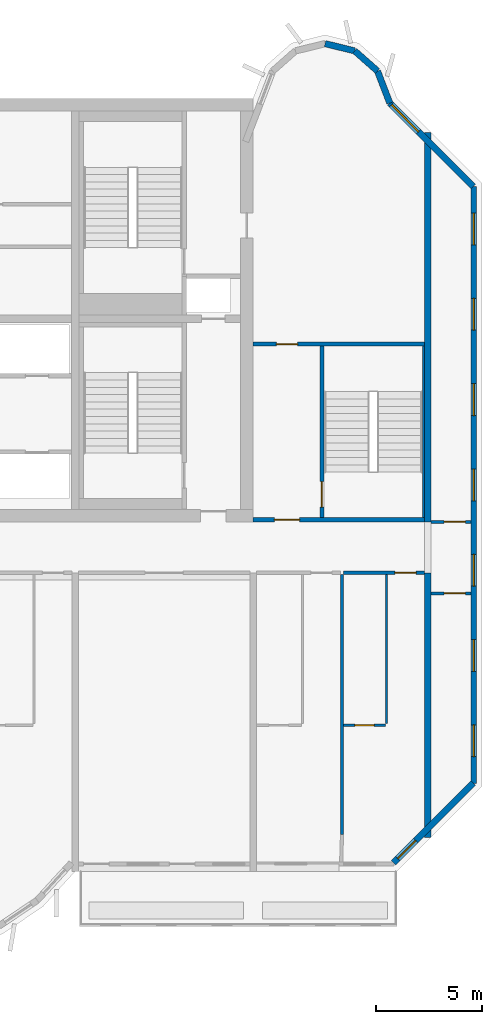
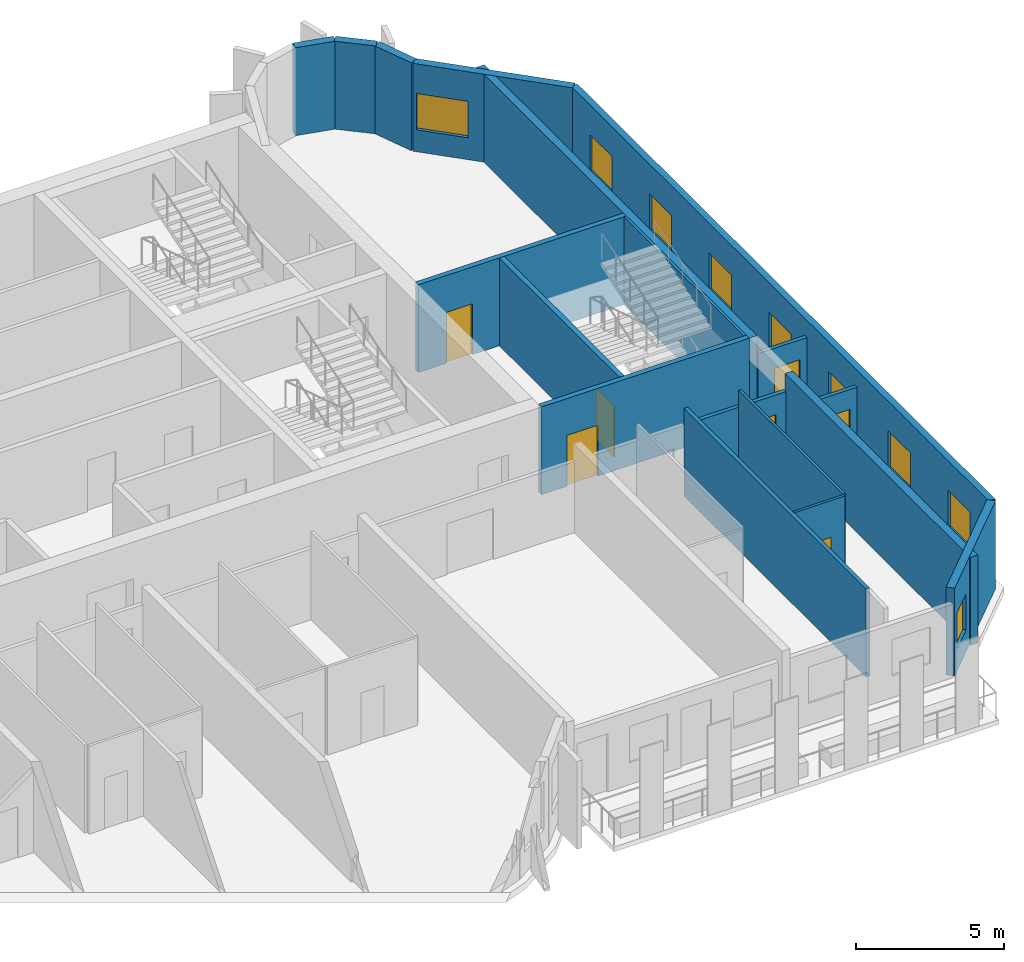
# One storey, part 8 of 11: 18 walls, 9 windows, 7 doors, 16 openings.
"""IFC4 building model written with IfcOpenShell, lengths in metres."""

from ifc_helpers import new_model, si_unit, direction, frame, frame_2d, origin, place, context, subcontext, project, spatial, rectangle, extrude, source, transform, mapped, material, layer, layer_set, type_object, element, fill, save


model = new_model("IFC4")

# Units and contexts
model_context = context("Model", 3, precision=1e-05, world=origin(), true_north=direction((0.0, 1.0)))
body_context = subcontext(model_context, "Body", "Model", "MODEL_VIEW")
ifc_project = project(units=[si_unit("LENGTHUNIT", "METRE"), si_unit("AREAUNIT", "SQUARE_METRE"), si_unit("VOLUMEUNIT", "CUBIC_METRE"), si_unit("PLANEANGLEUNIT", "RADIAN"), si_unit("MASSUNIT", "GRAM", prefix="KILO")], contexts=[model_context])

# Site, building, storey
site_placement = place(None, origin())
site = spatial("IfcSite", under=ifc_project, at=site_placement, CompositionType="ELEMENT")
building_placement = place(site_placement, origin())
building = spatial("IfcBuilding", under=site, at=building_placement, Name="Vanashikhar Sky Hotel", CompositionType="ELEMENT")
storey_placement = place(building_placement, frame((0.0, 0.0, 229.60009765625)))
storey = spatial("IfcBuildingStorey", under=building, at=storey_placement, Name="L55", CompositionType="ELEMENT", Elevation=229.60009765625)

# Walls
ifc_material_1 = material(Name="Concrete M60", Category="concrete")
ifc_layer_1 = layer(ifc_material_1, 0.300048828125)
ifc_layer_set_1 = layer_set([ifc_layer_1], Name="RC shear wall 300 Concrete M60")
wall_type_1 = type_object("IfcWallType", Name="RC shear wall 300 Concrete M60", PredefinedType="SHEAR", material=ifc_layer_set_1)
shared_shape_1 = source(origin(), body_context, "Body", "SweptSolid", [
    extrude(rectangle(XDim=12.5, YDim=0.300048828125, at=frame_2d((6.25, 0.0))), origin(), (0.0, 0.0, 1.0), 3.619873046875),
])
wall_1_placement = place(storey_placement, frame((83.85009765625, 7.10009765625, 0.0), z_axis=(0.0, 0.0, 1.0), x_axis=(0.0, 1.0, 0.0)))
element("IfcWall", 1, at=wall_1_placement, inside=storey, type_object=wall_type_1, Name="CW-L55-XW11-1", PredefinedType="SHEAR", context=body_context, shape_type="MappedRepresentation", body=[
    mapped(shared_shape_1, transform((0.0, 0.0, 0.0), scale=1.0)),
])
shared_shape_2 = source(origin(), body_context, "Body", "SweptSolid", [
    extrude(rectangle(XDim=18.39990234375, YDim=0.300048828125, at=frame_2d((9.199951171875, 0.0))), origin(), (0.0, 0.0, 1.0), 3.619873046875),
])
wall_2_placement = place(storey_placement, frame((83.85009765625, 22.0, 0.0), z_axis=(0.0, 0.0, 1.0), x_axis=(0.0, 1.0, 0.0)))
element("IfcWall", 2, at=wall_2_placement, inside=storey, type_object=wall_type_1, Name="CW-L55-XW11-2", PredefinedType="SHEAR", context=body_context, shape_type="MappedRepresentation", body=[
    mapped(shared_shape_2, transform((0.0, 0.0, 0.0), scale=1.0)),
])

# Wall, opening, window
ifc_material_2 = material(Name="Concrete M50", Category="concrete")
ifc_layer_2 = layer(ifc_material_2, 0.300048828125)
ifc_layer_set_2 = layer_set([ifc_layer_2], Name="Lobe wall 300")
wall_type_2 = type_object("IfcWallType", Name="Lobe wall 300", PredefinedType="SOLIDWALL", material=ifc_layer_set_2)
shared_shape_3 = source(origin(), body_context, "Body", "SweptSolid", [
    extrude(rectangle(XDim=5.32568359375, YDim=0.300048828125, at=frame_2d((2.662841796875, 0.0))), origin(), (0.0, 0.0, 1.0), 3.619873046875),
])
wall_3_placement = place(storey_placement, frame((82.234375, 5.89990234375, 0.0), z_axis=(0.0, 0.0, 1.0), x_axis=(0.707083859269, 0.707129702361, 0.0)))
wall_3 = element("IfcWall", 3, at=wall_3_placement, inside=storey, type_object=wall_type_2, Name="Corner wall", PredefinedType="SOLIDWALL", context=body_context, shape_type="MappedRepresentation", body=[
    mapped(shared_shape_3, transform((0.0, 0.0, 0.0), scale=1.0)),
])
shared_shape_4 = source(origin(), body_context, "Body", "SweptSolid", [
    extrude(rectangle(XDim=1.199951171875, YDim=1.5, at=frame_2d((0.60009765625, 0.75))), frame((0.0, 0.16015625, 0.0), z_axis=(0.0, -1.0, 0.0), x_axis=(1.0, 0.0, 0.0)), (0.0, 0.0, 1.0), 0.320068359375),
])
opening_1_placement = place(wall_3_placement, frame((0.29248046875, 0.0, 0.89990234375)))
opening_1 = element("IfcOpeningElement", 4, at=opening_1_placement, cuts=wall_3, Name="Opening WN-3", PredefinedType="OPENING", context=body_context, shape_type="MappedRepresentation", body=[
    mapped(shared_shape_4, transform((0.0, 0.0, 0.0), scale=1.0)),
])
ifc_material_3 = material(Name="Glass", Category="glass")
window_type_1 = type_object("IfcWindowType", Name="Corridor end window 1200 x 1500", PartitioningType="SINGLE_PANEL", PredefinedType="WINDOW", material=ifc_material_3)
shared_shape_5 = source(origin(), body_context, "Body", "SweptSolid", [
    extrude(rectangle(XDim=1.199951171875, YDim=1.5, at=frame_2d((0.60009765625, 0.75))), frame((0.0, 0.030029296875, 0.0), z_axis=(0.0, -1.0, 0.0), x_axis=(1.0, 0.0, 0.0)), (0.0, 0.0, 1.0), 0.06005859375),
])
window_1_placement = place(opening_1_placement, origin())
window_1 = element("IfcWindow", 5, at=window_1_placement, inside=storey, type_object=window_type_1, Name="Window WN-3", OverallHeight=1.5, OverallWidth=1.199951171875, PartitioningType="SINGLE_PANEL", PredefinedType="WINDOW", context=body_context, shape_type="MappedRepresentation", body=[
    mapped(shared_shape_5, transform((0.0, 0.0, 0.0), scale=1.0)),
])
fill(opening_1, window_1)

shared_shape_6 = source(origin(), body_context, "Body", "SweptSolid", [
    extrude(rectangle(XDim=5.576416015625, YDim=0.300048828125, at=frame_2d((2.7880859375, 0.0))), origin(), (0.0, 0.0, 1.0), 3.619873046875),
])
wall_4_placement = place(storey_placement, frame((86.0, 37.834228515625, 0.0), z_axis=(0.0, 0.0, 1.0), x_axis=(-0.707106781187, 0.707106781187, 0.0)))
wall_4 = element("IfcWall", 6, at=wall_4_placement, inside=storey, type_object=wall_type_2, Name="Corner wall", PredefinedType="SOLIDWALL", context=body_context, shape_type="MappedRepresentation", body=[
    mapped(shared_shape_6, transform((0.0, 0.0, 0.0), scale=1.0)),
])
shared_shape_7 = source(origin(), body_context, "Body", "SweptSolid", [
    extrude(rectangle(XDim=1.800048828125, YDim=1.5, at=frame_2d((0.89990234375, 0.75))), frame((0.0, 0.16015625, 0.0), z_axis=(0.0, -1.0, 0.0), x_axis=(1.0, 0.0, 0.0)), (0.0, 0.0, 1.0), 0.320068359375),
])
opening_2_placement = place(wall_4_placement, frame((3.658447265625, 0.0, 0.89990234375)))
opening_2 = element("IfcOpeningElement", 7, at=opening_2_placement, cuts=wall_4, Name="Opening WN-4", PredefinedType="OPENING", context=body_context, shape_type="MappedRepresentation", body=[
    mapped(shared_shape_7, transform((0.0, 0.0, 0.0), scale=1.0)),
])
window_type_2 = type_object("IfcWindowType", Name="Corner window 1800 x 1500", PartitioningType="SINGLE_PANEL", PredefinedType="WINDOW", material=ifc_material_3)
shared_shape_8 = source(origin(), body_context, "Body", "SweptSolid", [
    extrude(rectangle(XDim=1.800048828125, YDim=1.5, at=frame_2d((0.89990234375, 0.75))), frame((0.0, 0.030029296875, 0.0), z_axis=(0.0, -1.0, 0.0), x_axis=(1.0, 0.0, 0.0)), (0.0, 0.0, 1.0), 0.06005859375),
])
window_2_placement = place(opening_2_placement, origin())
window_2 = element("IfcWindow", 8, at=window_2_placement, inside=storey, type_object=window_type_2, Name="Window WN-4", OverallHeight=1.5, OverallWidth=1.800048828125, PartitioningType="SINGLE_PANEL", PredefinedType="WINDOW", context=body_context, shape_type="MappedRepresentation", body=[
    mapped(shared_shape_8, transform((0.0, 0.0, 0.0), scale=1.0)),
])
fill(opening_2, window_2)

# Walls
shared_shape_9 = source(origin(), body_context, "Body", "SweptSolid", [
    extrude(rectangle(XDim=1.438720703125, YDim=0.300048828125, at=frame_2d((0.71923828125, 0.0))), origin(), (0.0, 0.0, 1.0), 3.619873046875),
])
wall_5_placement = place(storey_placement, frame((80.397216796875, 44.2451171875, 0.0), z_axis=(0.0, 0.0, 1.0), x_axis=(-0.971161932466, 0.238420848351, 0.0)))
element("IfcWall", 9, at=wall_5_placement, inside=storey, type_object=wall_type_2, Name="Lobe wall", PredefinedType="SOLIDWALL", context=body_context, shape_type="MappedRepresentation", body=[
    mapped(shared_shape_9, transform((0.0, 0.0, 0.0), scale=1.0)),
])
shared_shape_10 = source(origin(), body_context, "Body", "SweptSolid", [
    extrude(rectangle(XDim=1.43994140625, YDim=0.300048828125, at=frame_2d((0.719970703125, 0.0))), origin(), (0.0, 0.0, 1.0), 3.619873046875),
])
wall_6_placement = place(storey_placement, frame((81.4765625, 43.2919921875, 0.0), z_axis=(0.0, 0.0, 1.0), x_axis=(-0.74957555648, 0.661918790432, 0.0)))
element("IfcWall", 10, at=wall_6_placement, inside=storey, type_object=wall_type_2, Name="Lobe wall", PredefinedType="SOLIDWALL", context=body_context, shape_type="MappedRepresentation", body=[
    mapped(shared_shape_10, transform((0.0, 0.0, 0.0), scale=1.0)),
])
shared_shape_11 = source(origin(), body_context, "Body", "SweptSolid", [
    extrude(rectangle(XDim=1.6220703125, YDim=0.300048828125, at=frame_2d((0.81103515625, 0.0))), origin(), (0.0, 0.0, 1.0), 3.619873046875),
])
wall_7_placement = place(storey_placement, frame((82.056884765625, 41.77734375, 0.0), z_axis=(0.0, 0.0, 1.0), x_axis=(-0.357778527068, 0.933806471154, 0.0)))
element("IfcWall", 11, at=wall_7_placement, inside=storey, type_object=wall_type_2, Name="Lobe wall", PredefinedType="SOLIDWALL", context=body_context, shape_type="MappedRepresentation", body=[
    mapped(shared_shape_11, transform((0.0, 0.0, 0.0), scale=1.0)),
])

# Wall, openings, windows
ifc_layer_3 = layer(ifc_material_2, 0.25)
ifc_layer_set_3 = layer_set([ifc_layer_3], Name="Rear and end board-marked wall 250")
wall_type_3 = type_object("IfcWallType", Name="Rear and end board-marked wall 250", PredefinedType="SOLIDWALL", material=ifc_layer_set_3)
shared_shape_12 = source(origin(), body_context, "Body", "SweptSolid", [
    extrude(rectangle(XDim=28.189453125, YDim=0.25, at=frame_2d((14.0947265625, 0.0))), origin(), (0.0, 0.0, 1.0), 3.619873046875),
])
wall_8_placement = place(storey_placement, frame((86.02490234375, 9.6552734375, 0.0), z_axis=(0.0, 0.0, 1.0), x_axis=(0.0, 1.0, 0.0)))
wall_8 = element("IfcWall", 12, at=wall_8_placement, inside=storey, type_object=wall_type_3, Name="End board-marked wall", PredefinedType="SOLIDWALL", context=body_context, shape_type="MappedRepresentation", body=[
    mapped(shared_shape_12, transform((0.0, 0.0, 0.0), scale=1.0)),
])
shared_shape_13 = source(origin(), body_context, "Body", "SweptSolid", [
    extrude(rectangle(XDim=1.5, YDim=1.5, at=frame_2d((0.75, 0.75))), frame((0.0, 0.135009765625, 0.0), z_axis=(0.0, -1.0, 0.0), x_axis=(1.0, 0.0, 0.0)), (0.0, 0.0, 1.0), 0.27001953125),
])
opening_3_placement = place(wall_8_placement, frame((1.263427734375, 0.0, 0.89990234375)))
opening_3 = element("IfcOpeningElement", 13, at=opening_3_placement, cuts=wall_8, Name="Opening WN-1", PredefinedType="OPENING", context=body_context, shape_type="MappedRepresentation", body=[
    mapped(shared_shape_13, transform((0.0, 0.0, 0.0), scale=1.0)),
])
opening_4_placement = place(wall_8_placement, frame((5.29052734375, 0.0, 0.89990234375)))
opening_4 = element("IfcOpeningElement", 14, at=opening_4_placement, cuts=wall_8, Name="Opening WN-1", PredefinedType="OPENING", context=body_context, shape_type="MappedRepresentation", body=[
    mapped(shared_shape_13, transform((0.0, 0.0, 0.0), scale=1.0)),
])
opening_5_placement = place(wall_8_placement, frame((9.317626953125, 0.0, 0.89990234375)))
opening_5 = element("IfcOpeningElement", 15, at=opening_5_placement, cuts=wall_8, Name="Opening WN-1", PredefinedType="OPENING", context=body_context, shape_type="MappedRepresentation", body=[
    mapped(shared_shape_13, transform((0.0, 0.0, 0.0), scale=1.0)),
])
opening_6_placement = place(wall_8_placement, frame((13.3447265625, 0.0, 0.89990234375)))
opening_6 = element("IfcOpeningElement", 16, at=opening_6_placement, cuts=wall_8, Name="Opening WN-1", PredefinedType="OPENING", context=body_context, shape_type="MappedRepresentation", body=[
    mapped(shared_shape_13, transform((0.0, 0.0, 0.0), scale=1.0)),
])
opening_7_placement = place(wall_8_placement, frame((17.371826171875, 0.0, 0.89990234375)))
opening_7 = element("IfcOpeningElement", 17, at=opening_7_placement, cuts=wall_8, Name="Opening WN-1", PredefinedType="OPENING", context=body_context, shape_type="MappedRepresentation", body=[
    mapped(shared_shape_13, transform((0.0, 0.0, 0.0), scale=1.0)),
])
opening_8_placement = place(wall_8_placement, frame((21.398681640625, 0.0, 0.89990234375)))
opening_8 = element("IfcOpeningElement", 18, at=opening_8_placement, cuts=wall_8, Name="Opening WN-1", PredefinedType="OPENING", context=body_context, shape_type="MappedRepresentation", body=[
    mapped(shared_shape_13, transform((0.0, 0.0, 0.0), scale=1.0)),
])
opening_9_placement = place(wall_8_placement, frame((25.42578125, 0.0, 0.89990234375)))
opening_9 = element("IfcOpeningElement", 19, at=opening_9_placement, cuts=wall_8, Name="Opening WN-1", PredefinedType="OPENING", context=body_context, shape_type="MappedRepresentation", body=[
    mapped(shared_shape_13, transform((0.0, 0.0, 0.0), scale=1.0)),
])
window_type_3 = type_object("IfcWindowType", Name="Window 1500 x 1500", PartitioningType="SINGLE_PANEL", PredefinedType="WINDOW", material=ifc_material_3)
shared_shape_14 = source(origin(), body_context, "Body", "SweptSolid", [
    extrude(rectangle(XDim=1.5, YDim=1.5, at=frame_2d((0.75, 0.75))), frame((0.0, 0.030029296875, 0.0), z_axis=(0.0, -1.0, 0.0), x_axis=(1.0, 0.0, 0.0)), (0.0, 0.0, 1.0), 0.06005859375),
])
window_3_placement = place(opening_3_placement, origin())
window_3 = element("IfcWindow", 20, at=window_3_placement, inside=storey, type_object=window_type_3, Name="Window WN-1", OverallHeight=1.5, OverallWidth=1.5, PartitioningType="SINGLE_PANEL", PredefinedType="WINDOW", context=body_context, shape_type="MappedRepresentation", body=[
    mapped(shared_shape_14, transform((0.0, 0.0, 0.0), scale=1.0)),
])
fill(opening_3, window_3)
window_4_placement = place(opening_4_placement, origin())
window_4 = element("IfcWindow", 21, at=window_4_placement, inside=storey, type_object=window_type_3, Name="Window WN-1", OverallHeight=1.5, OverallWidth=1.5, PartitioningType="SINGLE_PANEL", PredefinedType="WINDOW", context=body_context, shape_type="MappedRepresentation", body=[
    mapped(shared_shape_14, transform((0.0, 0.0, 0.0), scale=1.0)),
])
fill(opening_4, window_4)
window_5_placement = place(opening_5_placement, origin())
window_5 = element("IfcWindow", 22, at=window_5_placement, inside=storey, type_object=window_type_3, Name="Window WN-1", OverallHeight=1.5, OverallWidth=1.5, PartitioningType="SINGLE_PANEL", PredefinedType="WINDOW", context=body_context, shape_type="MappedRepresentation", body=[
    mapped(shared_shape_14, transform((0.0, 0.0, 0.0), scale=1.0)),
])
fill(opening_5, window_5)
window_6_placement = place(opening_6_placement, origin())
window_6 = element("IfcWindow", 23, at=window_6_placement, inside=storey, type_object=window_type_3, Name="Window WN-1", OverallHeight=1.5, OverallWidth=1.5, PartitioningType="SINGLE_PANEL", PredefinedType="WINDOW", context=body_context, shape_type="MappedRepresentation", body=[
    mapped(shared_shape_14, transform((0.0, 0.0, 0.0), scale=1.0)),
])
fill(opening_6, window_6)
window_7_placement = place(opening_7_placement, origin())
window_7 = element("IfcWindow", 24, at=window_7_placement, inside=storey, type_object=window_type_3, Name="Window WN-1", OverallHeight=1.5, OverallWidth=1.5, PartitioningType="SINGLE_PANEL", PredefinedType="WINDOW", context=body_context, shape_type="MappedRepresentation", body=[
    mapped(shared_shape_14, transform((0.0, 0.0, 0.0), scale=1.0)),
])
fill(opening_7, window_7)
window_8_placement = place(opening_8_placement, origin())
window_8 = element("IfcWindow", 25, at=window_8_placement, inside=storey, type_object=window_type_3, Name="Window WN-1", OverallHeight=1.5, OverallWidth=1.5, PartitioningType="SINGLE_PANEL", PredefinedType="WINDOW", context=body_context, shape_type="MappedRepresentation", body=[
    mapped(shared_shape_14, transform((0.0, 0.0, 0.0), scale=1.0)),
])
fill(opening_8, window_8)
window_9_placement = place(opening_9_placement, origin())
window_9 = element("IfcWindow", 26, at=window_9_placement, inside=storey, type_object=window_type_3, Name="Window WN-1", OverallHeight=1.5, OverallWidth=1.5, PartitioningType="SINGLE_PANEL", PredefinedType="WINDOW", context=body_context, shape_type="MappedRepresentation", body=[
    mapped(shared_shape_14, transform((0.0, 0.0, 0.0), scale=1.0)),
])
fill(opening_9, window_9)

# Wall, opening, door
ifc_layer_4 = layer(ifc_material_2, 0.199951171875)
ifc_layer_set_4 = layer_set([ifc_layer_4], Name="Stair wall 200")
wall_type_4 = type_object("IfcWallType", Name="Stair wall 200", PredefinedType="SOLIDWALL", material=ifc_layer_set_4)
shared_shape_15 = source(origin(), body_context, "Body", "SweptSolid", [
    extrude(rectangle(XDim=8.2998046875, YDim=0.199951171875, at=frame_2d((4.14990234375, 0.0))), origin(), (0.0, 0.0, 1.0), 3.619873046875),
])
wall_9_placement = place(storey_placement, frame((78.85009765625, 22.10009765625, 0.0), z_axis=(0.0, 0.0, 1.0), x_axis=(0.0, 1.0, 0.0)))
wall_9 = element("IfcWall", 27, at=wall_9_placement, inside=storey, type_object=wall_type_4, Name="Stair wall 200", PredefinedType="SOLIDWALL", context=body_context, shape_type="MappedRepresentation", body=[
    mapped(shared_shape_15, transform((0.0, 0.0, 0.0), scale=1.0)),
])
shared_shape_16 = source(origin(), body_context, "Body", "SweptSolid", [
    extrude(rectangle(XDim=1.199951171875, YDim=2.10009765625, at=frame_2d((0.60009765625, 1.050048828125))), frame((0.0, 0.10986328125, 0.0), z_axis=(0.0, -1.0, 0.0), x_axis=(1.0, 0.0, 0.0)), (0.0, 0.0, 1.0), 0.219970703125),
])
opening_10_placement = place(wall_9_placement, frame((0.60009765625, 0.0, 0.0)))
opening_10 = element("IfcOpeningElement", 28, at=opening_10_placement, cuts=wall_9, Name="Opening DC-1", PredefinedType="OPENING", context=body_context, shape_type="MappedRepresentation", body=[
    mapped(shared_shape_16, transform((0.0, 0.0, 0.0), scale=1.0)),
])
ifc_material_4 = material(Name="Steel", Category="steel")
door_type_1 = type_object("IfcDoorType", Name="Stair door 1200 FD120", OperationType="NOTDEFINED", PredefinedType="DOOR", material=ifc_material_4)
shared_shape_17 = source(origin(), body_context, "Body", "SweptSolid", [
    extrude(rectangle(XDim=1.199951171875, YDim=2.10009765625, at=frame_2d((0.60009765625, 1.050048828125))), frame((0.0, 0.02490234375, 0.0), z_axis=(0.0, -1.0, 0.0), x_axis=(1.0, 0.0, 0.0)), (0.0, 0.0, 1.0), 0.050048828125),
])
door_1_placement = place(opening_10_placement, origin())
door_1 = element("IfcDoor", 29, at=door_1_placement, inside=storey, type_object=door_type_1, Name="Stair door 1200 FD120", OperationType="SINGLE_SWING_RIGHT", OverallHeight=2.10009765625, OverallWidth=1.199951171875, PredefinedType="DOOR", context=body_context, shape_type="MappedRepresentation", body=[
    mapped(shared_shape_17, transform((0.0, 0.0, 0.0), scale=1.0)),
])
fill(opening_10, door_1)

shared_shape_18 = source(origin(), body_context, "Body", "SweptSolid", [
    extrude(rectangle(XDim=8.099853515625, YDim=0.199951171875, at=frame_2d((4.0498046875, 0.0))), origin(), (0.0, 0.0, 1.0), 3.619873046875),
])
wall_10_placement = place(storey_placement, frame((83.699951171875, 22.10009765625, 0.0), z_axis=(0.0, 0.0, 1.0), x_axis=(-1.0, 0.0, 0.0)))
wall_10 = element("IfcWall", 30, at=wall_10_placement, inside=storey, type_object=wall_type_4, Name="Stair wall 200", PredefinedType="SOLIDWALL", context=body_context, shape_type="MappedRepresentation", body=[
    mapped(shared_shape_18, transform((0.0, 0.0, 0.0), scale=1.0)),
])
opening_11_placement = place(wall_10_placement, frame((5.89990234375, 0.0, 0.0)))
opening_11 = element("IfcOpeningElement", 31, at=opening_11_placement, cuts=wall_10, Name="Opening DC-2", PredefinedType="OPENING", context=body_context, shape_type="MappedRepresentation", body=[
    mapped(shared_shape_16, transform((0.0, 0.0, 0.0), scale=1.0)),
])
door_type_2 = type_object("IfcDoorType", Name="Firefighting lobby door 1200 FD120", OperationType="NOTDEFINED", PredefinedType="DOOR", material=ifc_material_4)
door_2_placement = place(opening_11_placement, origin())
door_2 = element("IfcDoor", 32, at=door_2_placement, inside=storey, type_object=door_type_2, Name="Firefighting lobby door 1200 FD120", OperationType="SINGLE_SWING_LEFT", OverallHeight=2.10009765625, OverallWidth=1.199951171875, PredefinedType="DOOR", context=body_context, shape_type="MappedRepresentation", body=[
    mapped(shared_shape_17, transform((0.0, 0.0, 0.0), scale=1.0)),
])
fill(opening_11, door_2)

wall_11_placement = place(storey_placement, frame((83.699951171875, 30.39990234375, 0.0), z_axis=(0.0, 0.0, 1.0), x_axis=(-1.0, 0.0, 0.0)))
wall_11 = element("IfcWall", 33, at=wall_11_placement, inside=storey, type_object=wall_type_4, Name="Stair wall 200", PredefinedType="SOLIDWALL", context=body_context, shape_type="MappedRepresentation", body=[
    mapped(shared_shape_18, transform((0.0, 0.0, 0.0), scale=1.0)),
])
shared_shape_19 = source(origin(), body_context, "Body", "SweptSolid", [
    extrude(rectangle(XDim=1.0, YDim=2.10009765625, at=frame_2d((0.5, 1.050048828125))), frame((0.0, 0.10986328125, 0.0), z_axis=(0.0, -1.0, 0.0), x_axis=(1.0, 0.0, 0.0)), (0.0, 0.0, 1.0), 0.219970703125),
])
opening_12_placement = place(wall_11_placement, frame((6.0, 0.0, 0.0)))
opening_12 = element("IfcOpeningElement", 34, at=opening_12_placement, cuts=wall_11, Name="Opening DC-6", PredefinedType="OPENING", context=body_context, shape_type="MappedRepresentation", body=[
    mapped(shared_shape_19, transform((0.0, 0.0, 0.0), scale=1.0)),
])
door_type_3 = type_object("IfcDoorType", Name="Pocket door 1000 FD60", OperationType="NOTDEFINED", PredefinedType="DOOR", material=ifc_material_4)
shared_shape_20 = source(origin(), body_context, "Body", "SweptSolid", [
    extrude(rectangle(XDim=1.0, YDim=2.10009765625, at=frame_2d((0.5, 1.050048828125))), frame((0.0, 0.02490234375, 0.0), z_axis=(0.0, -1.0, 0.0), x_axis=(1.0, 0.0, 0.0)), (0.0, 0.0, 1.0), 0.050048828125),
])
door_3_placement = place(opening_12_placement, origin())
door_3 = element("IfcDoor", 35, at=door_3_placement, inside=storey, type_object=door_type_3, Name="Pocket door 1000 FD60", OperationType="SINGLE_SWING_LEFT", OverallHeight=2.10009765625, OverallWidth=1.0, PredefinedType="DOOR", context=body_context, shape_type="MappedRepresentation", body=[
    mapped(shared_shape_20, transform((0.0, 0.0, 0.0), scale=1.0)),
])
fill(opening_12, door_3)

# Wall
ifc_layer_5 = layer(ifc_material_2, 0.10009765625)
ifc_layer_set_5 = layer_set([ifc_layer_5], Name="Stair infill wall 100")
wall_type_5 = type_object("IfcWallType", Name="Stair infill wall 100", PredefinedType="SOLIDWALL", material=ifc_layer_set_5)
shared_shape_21 = source(origin(), body_context, "Body", "SweptSolid", [
    extrude(rectangle(XDim=8.10009765625, YDim=0.10009765625, at=frame_2d((4.050048828125, 0.0))), origin(), (0.0, 0.0, 1.0), 3.619873046875),
])
wall_12_placement = place(storey_placement, frame((83.64990234375, 22.199951171875, 0.0), z_axis=(0.0, 0.0, 1.0), x_axis=(0.0, 1.0, 0.0)))
element("IfcWall", 36, at=wall_12_placement, inside=storey, type_object=wall_type_5, Name="Stair infill wall 100", PredefinedType="SOLIDWALL", context=body_context, shape_type="MappedRepresentation", body=[
    mapped(shared_shape_21, transform((0.0, 0.0, 0.0), scale=1.0)),
])

# Wall, opening, door
ifc_material_5 = material(Name="Gypsum plasterboard partition")
ifc_layer_6 = layer(ifc_material_5, 0.14990234375)
ifc_layer_set_6 = layer_set([ifc_layer_6], Name="Corridor and demising partition 150")
wall_type_6 = type_object("IfcWallType", Name="Corridor and demising partition 150", PredefinedType="PARTITIONING", material=ifc_layer_set_6)
shared_shape_22 = source(origin(), body_context, "Body", "SweptSolid", [
    extrude(rectangle(XDim=3.824951171875, YDim=0.14990234375, at=frame_2d((1.91259765625, 0.0))), origin(), (0.0, 0.0, 1.0), 2.919921875),
])
wall_13_placement = place(storey_placement, frame((79.875, 19.60009765625, 0.0), z_axis=(0.0, 0.0, 1.0), x_axis=(1.0, 0.0, 0.0)))
wall_13 = element("IfcWall", 37, at=wall_13_placement, inside=storey, type_object=wall_type_6, Name="W-L55-PW045", PredefinedType="PARTITIONING", context=body_context, shape_type="MappedRepresentation", body=[
    mapped(shared_shape_22, transform((0.0, 0.0, 0.0), scale=1.0)),
])
shared_shape_23 = source(origin(), body_context, "Body", "SweptSolid", [
    extrude(rectangle(XDim=1.0, YDim=2.10009765625, at=frame_2d((0.5, 1.050048828125))), frame((0.0, 0.0849609375, 0.0), z_axis=(0.0, -1.0, 0.0), x_axis=(1.0, 0.0, 0.0)), (0.0, 0.0, 1.0), 0.169921875),
])
opening_13_placement = place(wall_13_placement, frame((2.425048828125, 0.0, 0.0)))
opening_13 = element("IfcOpeningElement", 38, at=opening_13_placement, cuts=wall_13, Name="Opening D-01", PredefinedType="OPENING", context=body_context, shape_type="MappedRepresentation", body=[
    mapped(shared_shape_23, transform((0.0, 0.0, 0.0), scale=1.0)),
])
ifc_material_6 = material(Name="Timber fire door", Category="wood")
door_type_4 = type_object("IfcDoorType", Name="Guest entry door 1000 FD30S", OperationType="NOTDEFINED", PredefinedType="DOOR", material=ifc_material_6)
door_4_placement = place(opening_13_placement, origin())
door_4 = element("IfcDoor", 39, at=door_4_placement, inside=storey, type_object=door_type_4, Name="D-L55-027", OperationType="SINGLE_SWING_RIGHT", OverallHeight=2.10009765625, OverallWidth=1.0, PredefinedType="DOOR", context=body_context, shape_type="MappedRepresentation", body=[
    mapped(shared_shape_20, transform((0.0, 0.0, 0.0), scale=1.0)),
])
fill(opening_13, door_4)

shared_shape_24 = source(origin(), body_context, "Body", "SweptSolid", [
    extrude(rectangle(XDim=1.89990234375, YDim=0.14990234375, at=frame_2d((0.949951171875, 0.0))), origin(), (0.0, 0.0, 1.0), 2.919921875),
])
wall_14_placement = place(storey_placement, frame((84.0, 22.0, 0.0), z_axis=(0.0, 0.0, 1.0), x_axis=(1.0, 0.0, 0.0)))
wall_14 = element("IfcWall", 40, at=wall_14_placement, inside=storey, type_object=wall_type_6, Name="W-L55-PW050", PredefinedType="PARTITIONING", context=body_context, shape_type="MappedRepresentation", body=[
    mapped(shared_shape_24, transform((0.0, 0.0, 0.0), scale=1.0)),
])
opening_14_placement = place(wall_14_placement, frame((0.625, 0.0, 0.0)))
opening_14 = element("IfcOpeningElement", 41, at=opening_14_placement, cuts=wall_14, Name="Opening D-01", PredefinedType="OPENING", context=body_context, shape_type="MappedRepresentation", body=[
    mapped(shared_shape_23, transform((0.0, 0.0, 0.0), scale=1.0)),
])
door_5_placement = place(opening_14_placement, origin())
door_5 = element("IfcDoor", 42, at=door_5_placement, inside=storey, type_object=door_type_4, Name="D-L55-029", OperationType="SINGLE_SWING_RIGHT", OverallHeight=2.10009765625, OverallWidth=1.0, PredefinedType="DOOR", context=body_context, shape_type="MappedRepresentation", body=[
    mapped(shared_shape_20, transform((0.0, 0.0, 0.0), scale=1.0)),
])
fill(opening_14, door_5)

wall_15_placement = place(storey_placement, frame((84.0, 18.6279296875, 0.0), z_axis=(0.0, 0.0, 1.0), x_axis=(1.0, 0.0, 0.0)))
wall_15 = element("IfcWall", 43, at=wall_15_placement, inside=storey, type_object=wall_type_6, Name="W-L55-PW052", PredefinedType="PARTITIONING", context=body_context, shape_type="MappedRepresentation", body=[
    mapped(shared_shape_24, transform((0.0, 0.0, 0.0), scale=1.0)),
])
opening_15_placement = place(wall_15_placement, frame((0.625, 0.0, 0.0)))
opening_15 = element("IfcOpeningElement", 44, at=opening_15_placement, cuts=wall_15, Name="Opening D-01", PredefinedType="OPENING", context=body_context, shape_type="MappedRepresentation", body=[
    mapped(shared_shape_23, transform((0.0, 0.0, 0.0), scale=1.0)),
])
door_6_placement = place(opening_15_placement, origin())
door_6 = element("IfcDoor", 45, at=door_6_placement, inside=storey, type_object=door_type_4, Name="D-L55-031", OperationType="SINGLE_SWING_RIGHT", OverallHeight=2.10009765625, OverallWidth=1.0, PredefinedType="DOOR", context=body_context, shape_type="MappedRepresentation", body=[
    mapped(shared_shape_20, transform((0.0, 0.0, 0.0), scale=1.0)),
])
fill(opening_15, door_6)

# Wall
ifc_layer_7 = layer(ifc_material_5, 0.10009765625)
ifc_layer_set_7 = layer_set([ifc_layer_7], Name="Wet room partition 100")
wall_type_7 = type_object("IfcWallType", Name="Wet room partition 100", PredefinedType="PARTITIONING", material=ifc_layer_set_7)
shared_shape_25 = source(origin(), body_context, "Body", "SweptSolid", [
    extrude(rectangle(XDim=7.0498046875, YDim=0.10009765625, at=frame_2d((3.52490234375, 0.0))), origin(), (0.0, 0.0, 1.0), 3.619873046875),
])
wall_16_placement = place(storey_placement, frame((81.89990234375, 12.47509765625, 0.0), z_axis=(0.0, 0.0, 1.0), x_axis=(0.0, 1.0, 0.0)))
element("IfcWall", 46, at=wall_16_placement, inside=storey, type_object=wall_type_7, Name="W-L55-PW043", PredefinedType="PARTITIONING", context=body_context, shape_type="MappedRepresentation", body=[
    mapped(shared_shape_25, transform((0.0, 0.0, 0.0), scale=1.0)),
])

# Wall, opening, door
shared_shape_26 = source(origin(), body_context, "Body", "SweptSolid", [
    extrude(rectangle(XDim=1.97509765625, YDim=0.10009765625, at=frame_2d((0.987548828125, 0.0))), origin(), (0.0, 0.0, 1.0), 3.619873046875),
])
wall_17_placement = place(storey_placement, frame((79.875, 12.39990234375, 0.0), z_axis=(0.0, 0.0, 1.0), x_axis=(1.0, 0.0, 0.0)))
wall_17 = element("IfcWall", 47, at=wall_17_placement, inside=storey, type_object=wall_type_7, Name="W-L55-PW044", PredefinedType="PARTITIONING", context=body_context, shape_type="MappedRepresentation", body=[
    mapped(shared_shape_26, transform((0.0, 0.0, 0.0), scale=1.0)),
])
shared_shape_27 = source(origin(), body_context, "Body", "SweptSolid", [
    extrude(rectangle(XDim=0.89990234375, YDim=2.10009765625, at=frame_2d((0.449951171875, 1.050048828125))), frame((0.0, 0.06005859375, 0.0), z_axis=(0.0, -1.0, 0.0), x_axis=(1.0, 0.0, 0.0)), (0.0, 0.0, 1.0), 0.1201171875),
])
opening_16_placement = place(wall_17_placement, frame((0.5380859375, 0.0, 0.0)))
opening_16 = element("IfcOpeningElement", 48, at=opening_16_placement, cuts=wall_17, Name="Opening D-02", PredefinedType="OPENING", context=body_context, shape_type="MappedRepresentation", body=[
    mapped(shared_shape_27, transform((0.0, 0.0, 0.0), scale=1.0)),
])
ifc_material_7 = material(Name="Timber door", Category="wood")
door_type_5 = type_object("IfcDoorType", Name="Internal door 900", OperationType="NOTDEFINED", PredefinedType="DOOR", material=ifc_material_7)
shared_shape_28 = source(origin(), body_context, "Body", "SweptSolid", [
    extrude(rectangle(XDim=0.89990234375, YDim=2.10009765625, at=frame_2d((0.449951171875, 1.050048828125))), frame((0.0, 0.02490234375, 0.0), z_axis=(0.0, -1.0, 0.0), x_axis=(1.0, 0.0, 0.0)), (0.0, 0.0, 1.0), 0.050048828125),
])
door_7_placement = place(opening_16_placement, origin())
door_7 = element("IfcDoor", 49, at=door_7_placement, inside=storey, type_object=door_type_5, Name="D-L55-026", OperationType="SINGLE_SWING_RIGHT", OverallHeight=2.10009765625, OverallWidth=0.89990234375, PredefinedType="DOOR", context=body_context, shape_type="MappedRepresentation", body=[
    mapped(shared_shape_28, transform((0.0, 0.0, 0.0), scale=1.0)),
])
fill(opening_16, door_7)

# Wall
shared_shape_29 = source(origin(), body_context, "Body", "SweptSolid", [
    extrude(rectangle(XDim=12.27490234375, YDim=0.14990234375, at=frame_2d((6.137451171875, 0.0))), origin(), (0.0, 0.0, 1.0), 3.619873046875),
])
wall_18_placement = place(storey_placement, frame((79.800048828125, 7.25, 0.0), z_axis=(0.0, 0.0, 1.0), x_axis=(0.0, 1.0, 0.0)))
element("IfcWall", 50, at=wall_18_placement, inside=storey, type_object=wall_type_6, Name="W-L55-PW046", PredefinedType="PARTITIONING", context=body_context, shape_type="MappedRepresentation", body=[
    mapped(shared_shape_29, transform((0.0, 0.0, 0.0), scale=1.0)),
])

save(model, "model.ifc")
